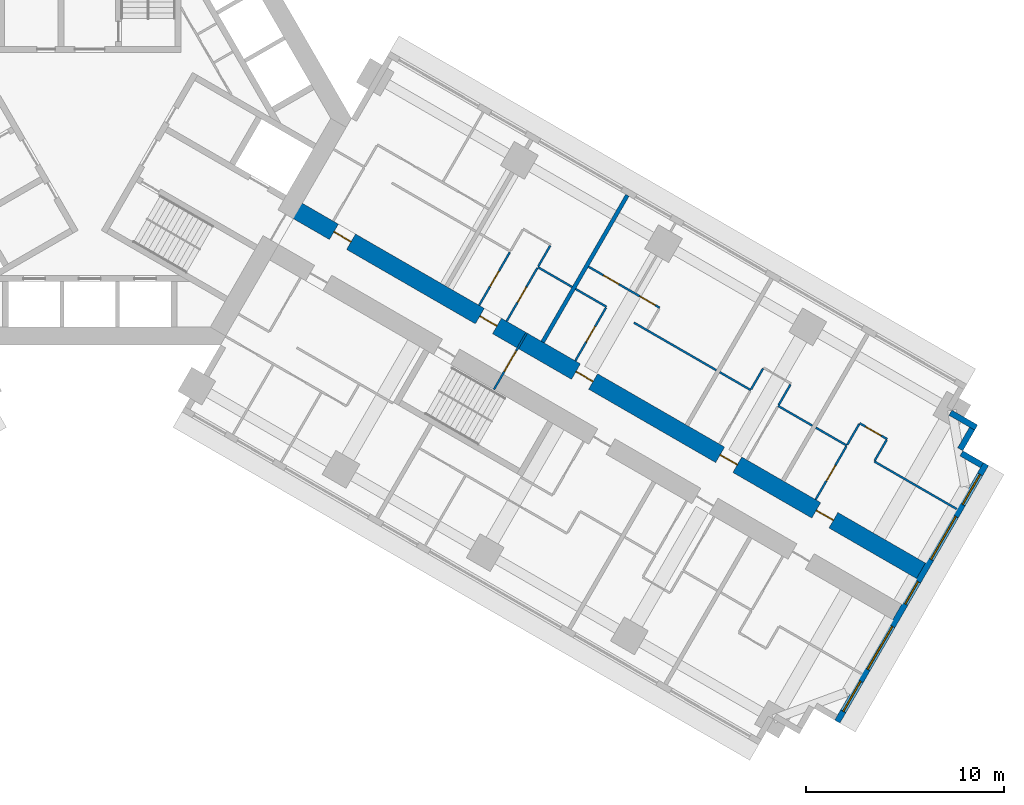
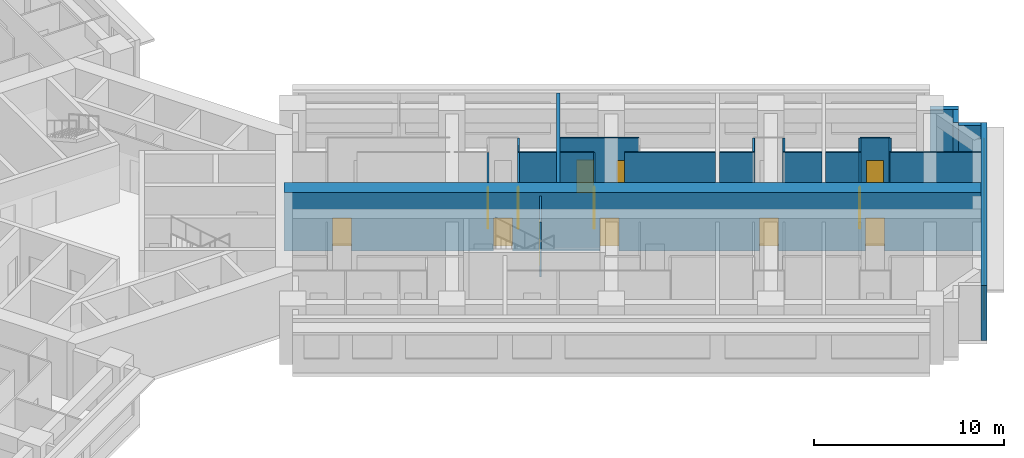
# One storey, part 12 of 16: 25 walls, 13 doors, 5 windows, 18 openings.
"""IFC4 building model written with IfcOpenShell, lengths in metres."""

from ifc_helpers import new_model, si_unit, direction, frame, frame_2d, origin, place, context, subcontext, project, spatial, rectangle, extrude, material, layer, layer_set, type_object, element, fill, save


model = new_model("IFC4")

# Units and contexts
model_context = context("Model", 3, precision=1e-05, world=origin(), true_north=direction((0.0, 1.0)))
body_context = subcontext(model_context, "Body", "Model", "MODEL_VIEW")
ifc_project = project(units=[si_unit("LENGTHUNIT", "METRE"), si_unit("AREAUNIT", "SQUARE_METRE"), si_unit("VOLUMEUNIT", "CUBIC_METRE"), si_unit("PLANEANGLEUNIT", "RADIAN"), si_unit("MASSUNIT", "GRAM", prefix="KILO")], contexts=[model_context])

# Site, building, storey
site_placement = place(None, origin())
site = spatial("IfcSite", under=ifc_project, at=site_placement, CompositionType="ELEMENT")
building_placement = place(site_placement, origin())
building = spatial("IfcBuilding", under=site, at=building_placement, Name="Impinga Residences", CompositionType="ELEMENT")
storey_placement = place(building_placement, frame((0.0, 0.0, 56.0)))
storey = spatial("IfcBuildingStorey", under=building, at=storey_placement, Name="L13", CompositionType="ELEMENT", Elevation=56.0)

# Wall, openings, doors
ifc_material_1 = material(Name="Concrete C70/85", Category="concrete")
ifc_layer_1 = layer(ifc_material_1, 0.89990234375)
ifc_layer_set_1 = layer_set([ifc_layer_1], Name="Concrete C70/85")
wall_type_1 = type_object("IfcWallType", Name="BW1 corridor buttress wall, L05 to L22 900", PredefinedType="SHEAR", material=ifc_layer_set_1)
wall_1_placement = place(storey_placement, frame((10.1103515625, -4.451416015625, 0.0), z_axis=(0.0, 0.0, 1.0), x_axis=(0.866025284237, -0.500000207062, 0.0)))
wall_1 = element("IfcWall", 1, at=wall_1_placement, inside=storey, type_object=wall_type_1, Name="Corridor wall BW1 EC L13", PredefinedType="SHEAR", context=body_context, shape_type="SweptSolid", body=[
    extrude(rectangle(XDim=36.75, YDim=0.89990234375, at=frame_2d((18.375, 0.0))), origin(), (0.0, 0.0, 1.0), 3.75),
])
opening_1_placement = place(wall_1_placement, frame((2.550048828125, 0.0, 0.0)))
opening_1 = element("IfcOpeningElement", 2, at=opening_1_placement, cuts=wall_1, Name="Opening D1", PredefinedType="OPENING", context=body_context, shape_type="SweptSolid", body=[
    extrude(rectangle(XDim=1.0, YDim=2.10009765625, at=frame_2d((0.5, 1.050048828125))), frame((0.0, 0.4599609375, 0.0), z_axis=(0.0, -1.0, 0.0), x_axis=(1.0, 0.0, 0.0)), (0.0, 0.0, 1.0), 0.919921875),
])
opening_2_placement = place(wall_1_placement, frame((11.050048828125, 0.0, 0.0)))
opening_2 = element("IfcOpeningElement", 3, at=opening_2_placement, cuts=wall_1, Name="Opening D1", PredefinedType="OPENING", context=body_context, shape_type="SweptSolid", body=[
    extrude(rectangle(XDim=1.0, YDim=2.10009765625, at=frame_2d((0.5, 1.050048828125))), frame((0.0, 0.4599609375, 0.0), z_axis=(0.0, -1.0, 0.0), x_axis=(1.0, 0.0, 0.0)), (0.0, 0.0, 1.0), 0.919921875),
])
opening_3_placement = place(wall_1_placement, frame((16.64990234375, 0.0, 0.0)))
opening_3 = element("IfcOpeningElement", 4, at=opening_3_placement, cuts=wall_1, Name="Opening D1", PredefinedType="OPENING", context=body_context, shape_type="SweptSolid", body=[
    extrude(rectangle(XDim=1.0, YDim=2.10009765625, at=frame_2d((0.5, 1.050048828125))), frame((0.0, 0.4599609375, 0.0), z_axis=(0.0, -1.0, 0.0), x_axis=(1.0, 0.0, 0.0)), (0.0, 0.0, 1.0), 0.919921875),
])
opening_4_placement = place(wall_1_placement, frame((25.050048828125, 0.0, 0.0)))
opening_4 = element("IfcOpeningElement", 5, at=opening_4_placement, cuts=wall_1, Name="Opening D1", PredefinedType="OPENING", context=body_context, shape_type="SweptSolid", body=[
    extrude(rectangle(XDim=1.0, YDim=2.10009765625, at=frame_2d((0.5, 1.050048828125))), frame((0.0, 0.4599609375, 0.0), z_axis=(0.0, -1.0, 0.0), x_axis=(1.0, 0.0, 0.0)), (0.0, 0.0, 1.0), 0.919921875),
])
opening_5_placement = place(wall_1_placement, frame((30.64990234375, 0.0, 0.0)))
opening_5 = element("IfcOpeningElement", 6, at=opening_5_placement, cuts=wall_1, Name="Opening D1", PredefinedType="OPENING", context=body_context, shape_type="SweptSolid", body=[
    extrude(rectangle(XDim=1.0, YDim=2.10009765625, at=frame_2d((0.5, 1.050048828125))), frame((0.0, 0.4599609375, 0.0), z_axis=(0.0, -1.0, 0.0), x_axis=(1.0, 0.0, 0.0)), (0.0, 0.0, 1.0), 0.919921875),
])
ifc_material_2 = material(Name="Timber door set", Category="wood")
door_type_1 = type_object("IfcDoorType", Name="D1 apartment entrance door 1000x2100", OperationType="SINGLE_SWING_LEFT", PredefinedType="DOOR", material=ifc_material_2)
door_1_placement = place(opening_1_placement, origin())
door_1 = element("IfcDoor", 7, at=door_1_placement, inside=storey, type_object=door_type_1, Name="Apartment L13-EA1 entrance", OperationType="SINGLE_SWING_LEFT", OverallHeight=2.10009765625, OverallWidth=1.0, PredefinedType="DOOR", context=body_context, shape_type="SweptSolid", body=[
    extrude(rectangle(XDim=1.0, YDim=2.10009765625, at=frame_2d((0.5, 1.050048828125))), frame((0.0, 0.02490234375, 0.0), z_axis=(0.0, -1.0, 0.0), x_axis=(1.0, 0.0, 0.0)), (0.0, 0.0, 1.0), 0.050048828125),
])
fill(opening_1, door_1)
door_2_placement = place(opening_2_placement, origin())
door_2 = element("IfcDoor", 8, at=door_2_placement, inside=storey, type_object=door_type_1, Name="Apartment L13-EA2 entrance", OperationType="SINGLE_SWING_LEFT", OverallHeight=2.10009765625, OverallWidth=1.0, PredefinedType="DOOR", context=body_context, shape_type="SweptSolid", body=[
    extrude(rectangle(XDim=1.0, YDim=2.10009765625, at=frame_2d((0.5, 1.050048828125))), frame((0.0, 0.02490234375, 0.0), z_axis=(0.0, -1.0, 0.0), x_axis=(1.0, 0.0, 0.0)), (0.0, 0.0, 1.0), 0.050048828125),
])
fill(opening_2, door_2)
door_3_placement = place(opening_3_placement, origin())
door_3 = element("IfcDoor", 9, at=door_3_placement, inside=storey, type_object=door_type_1, Name="Apartment L13-EA3 entrance", OperationType="SINGLE_SWING_LEFT", OverallHeight=2.10009765625, OverallWidth=1.0, PredefinedType="DOOR", context=body_context, shape_type="SweptSolid", body=[
    extrude(rectangle(XDim=1.0, YDim=2.10009765625, at=frame_2d((0.5, 1.050048828125))), frame((0.0, 0.02490234375, 0.0), z_axis=(0.0, -1.0, 0.0), x_axis=(1.0, 0.0, 0.0)), (0.0, 0.0, 1.0), 0.050048828125),
])
fill(opening_3, door_3)
door_4_placement = place(opening_4_placement, origin())
door_4 = element("IfcDoor", 10, at=door_4_placement, inside=storey, type_object=door_type_1, Name="Apartment L13-EA4 entrance", OperationType="SINGLE_SWING_RIGHT", OverallHeight=2.10009765625, OverallWidth=1.0, PredefinedType="DOOR", context=body_context, shape_type="SweptSolid", body=[
    extrude(rectangle(XDim=1.0, YDim=2.10009765625, at=frame_2d((0.5, 1.050048828125))), frame((0.0, 0.02490234375, 0.0), z_axis=(0.0, -1.0, 0.0), x_axis=(1.0, 0.0, 0.0)), (0.0, 0.0, 1.0), 0.050048828125),
])
fill(opening_4, door_4)
door_5_placement = place(opening_5_placement, origin())
door_5 = element("IfcDoor", 11, at=door_5_placement, inside=storey, type_object=door_type_1, Name="Apartment L13-EA5 entrance", OperationType="SINGLE_SWING_RIGHT", OverallHeight=2.10009765625, OverallWidth=1.0, PredefinedType="DOOR", context=body_context, shape_type="SweptSolid", body=[
    extrude(rectangle(XDim=1.0, YDim=2.10009765625, at=frame_2d((0.5, 1.050048828125))), frame((0.0, 0.02490234375, 0.0), z_axis=(0.0, -1.0, 0.0), x_axis=(1.0, 0.0, 0.0)), (0.0, 0.0, 1.0), 0.050048828125),
])
fill(opening_5, door_5)

# Wall, opening, door
ifc_material_3 = material(Name="Concrete blockwork", Category="masonry")
ifc_layer_2 = layer(ifc_material_3, 0.10009765625)
ifc_layer_set_2 = layer_set([ifc_layer_2], Name="CP1 core room partition, blockwork 100")
wall_type_2 = type_object("IfcWallType", Name="CP1 core room partition, blockwork 100", PredefinedType="PARTITIONING", material=ifc_layer_set_2)
wall_2_placement = place(storey_placement, frame((22.042724609375, -10.821044921875, 0.0), z_axis=(0.0, 0.0, 1.0), x_axis=(-0.50002983664, -0.866008176907, 0.0)))
wall_2 = element("IfcWall", 12, at=wall_2_placement, inside=storey, type_object=wall_type_2, Name="Core room partition, blockwork L13:E:SCR", PredefinedType="PARTITIONING", context=body_context, shape_type="SweptSolid", body=[
    extrude(rectangle(XDim=3.300048828125, YDim=0.10009765625, at=frame_2d((1.64990234375, 0.0))), origin(), (0.0, 0.0, 1.0), 3.530029296875),
])
opening_6_placement = place(wall_2_placement, frame((1.050048828125, 0.0, 0.0)))
opening_6 = element("IfcOpeningElement", 13, at=opening_6_placement, cuts=wall_2, Name="Opening D3", PredefinedType="OPENING", context=body_context, shape_type="SweptSolid", body=[
    extrude(rectangle(XDim=1.199951171875, YDim=2.10009765625, at=frame_2d((0.60009765625, 1.050048828125))), frame((0.0, 0.06005859375, 0.0), z_axis=(0.0, -1.0, 0.0), x_axis=(1.0, 0.0, 0.0)), (0.0, 0.0, 1.0), 0.1201171875),
])
door_type_2 = type_object("IfcDoorType", Name="D3 room door, leaf and a half 1200x2100", OperationType="DOUBLE_SWING_LEFT", PredefinedType="DOOR", material=ifc_material_2)
door_6_placement = place(opening_6_placement, origin())
door_6 = element("IfcDoor", 14, at=door_6_placement, inside=storey, type_object=door_type_2, Name="Corridor smoke door E", OperationType="DOUBLE_SWING_LEFT", OverallHeight=2.10009765625, OverallWidth=1.199951171875, PredefinedType="DOOR", context=body_context, shape_type="SweptSolid", body=[
    extrude(rectangle(XDim=1.199951171875, YDim=2.10009765625, at=frame_2d((0.60009765625, 1.050048828125))), frame((0.0, 0.02490234375, 0.0), z_axis=(0.0, -1.0, 0.0), x_axis=(1.0, 0.0, 0.0)), (0.0, 0.0, 1.0), 0.050048828125),
])
fill(opening_6, door_6)

# Walls
ifc_material_4 = material(Name="Terracotta rainscreen on blockwork", Category="masonry")
ifc_layer_3 = layer(ifc_material_4, 0.300048828125)
ifc_layer_set_3 = layer_set([ifc_layer_3], Name="EW1 external wall, terracotta rainscreen on blockwork 300")
wall_type_3 = type_object("IfcWallType", Name="EW1 external wall, terracotta rainscreen on blockwork 300", PredefinedType="SOLIDWALL", material=ifc_layer_set_3)
wall_3_placement = place(storey_placement, frame((43.42333984375, -14.8515625, 0.0), z_axis=(0.0, 0.0, 1.0), x_axis=(0.866031096941, -0.499990139034, 0.0)))
element("IfcWall", 15, at=wall_3_placement, inside=storey, type_object=wall_type_3, Name="External wall EW1 L13", PredefinedType="SOLIDWALL", context=body_context, shape_type="SweptSolid", body=[
    extrude(rectangle(XDim=1.5, YDim=0.300048828125, at=frame_2d((0.75, 0.0))), origin(), (0.0, 0.0, 1.0), 3.530029296875),
])
wall_4_placement = place(storey_placement, frame((44.517578125, -15.65625, 0.0), z_axis=(0.0, 0.0, 1.0), x_axis=(-0.500033551112, -0.866006032174, 0.0)))
element("IfcWall", 16, at=wall_4_placement, inside=storey, type_object=wall_type_3, Name="External wall EW1 L13", PredefinedType="SOLIDWALL", context=body_context, shape_type="SweptSolid", body=[
    extrude(rectangle(XDim=1.2001953125, YDim=0.300048828125, at=frame_2d((0.60009765625, 0.0))), origin(), (0.0, 0.0, 1.0), 3.530029296875),
])
wall_5_placement = place(storey_placement, frame((43.976806640625, -16.903076171875, 0.0), z_axis=(0.0, 0.0, 1.0), x_axis=(0.866059708757, -0.499940577336, 0.0)))
element("IfcWall", 17, at=wall_5_placement, inside=storey, type_object=wall_type_3, Name="External wall EW1 L13", PredefinedType="SOLIDWALL", context=body_context, shape_type="SweptSolid", body=[
    extrude(rectangle(XDim=1.195068359375, YDim=0.300048828125, at=frame_2d((0.59765625, 0.0))), origin(), (0.0, 0.0, 1.0), 3.530029296875),
])

# Wall, openings, windows
wall_6_placement = place(storey_placement, frame((45.216552734375, -17.445556640625, 0.0), z_axis=(0.0, 0.0, 1.0), x_axis=(-0.499997186618, -0.866027028085, 0.0)))
wall_6 = element("IfcWall", 18, at=wall_6_placement, inside=storey, type_object=wall_type_3, Name="External wall EW1 L13", PredefinedType="SOLIDWALL", context=body_context, shape_type="SweptSolid", body=[
    extrude(rectangle(XDim=15.0, YDim=0.300048828125, at=frame_2d((7.5, 0.0))), origin(), (0.0, 0.0, 1.0), 3.530029296875),
])
opening_7_placement = place(wall_6_placement, frame((0.60009765625, 0.0, 0.89990234375)))
opening_7 = element("IfcOpeningElement", 19, at=opening_7_placement, cuts=wall_6, Name="Opening W1", PredefinedType="OPENING", context=body_context, shape_type="SweptSolid", body=[
    extrude(rectangle(XDim=1.75, YDim=2.050048828125, at=frame_2d((0.875, 1.02490234375))), frame((0.0, 0.159912109375, 0.0), z_axis=(0.0, -1.0, 0.0), x_axis=(1.0, 0.0, 0.0)), (0.0, 0.0, 1.0), 0.320068359375),
])
opening_8_placement = place(wall_6_placement, frame((3.050048828125, 0.0, 0.89990234375)))
opening_8 = element("IfcOpeningElement", 20, at=opening_8_placement, cuts=wall_6, Name="Opening W2", PredefinedType="OPENING", context=body_context, shape_type="SweptSolid", body=[
    extrude(rectangle(XDim=2.5, YDim=2.050048828125, at=frame_2d((1.25, 1.02490234375))), frame((0.0, 0.159912109375, 0.0), z_axis=(0.0, -1.0, 0.0), x_axis=(1.0, 0.0, 0.0)), (0.0, 0.0, 1.0), 0.320068359375),
])
opening_9_placement = place(wall_6_placement, frame((6.85009765625, 0.0, 0.89990234375)))
opening_9 = element("IfcOpeningElement", 21, at=opening_9_placement, cuts=wall_6, Name="Opening WE1", PredefinedType="OPENING", context=body_context, shape_type="SweptSolid", body=[
    extrude(rectangle(XDim=1.300048828125, YDim=2.050048828125, at=frame_2d((0.64990234375, 1.02490234375))), frame((0.0, 0.159912109375, 0.0), z_axis=(0.0, -1.0, 0.0), x_axis=(1.0, 0.0, 0.0)), (0.0, 0.0, 1.0), 0.320068359375),
])
opening_10_placement = place(wall_6_placement, frame((9.449951171875, 0.0, 0.89990234375)))
opening_10 = element("IfcOpeningElement", 22, at=opening_10_placement, cuts=wall_6, Name="Opening W2", PredefinedType="OPENING", context=body_context, shape_type="SweptSolid", body=[
    extrude(rectangle(XDim=2.5, YDim=2.050048828125, at=frame_2d((1.25, 1.02490234375))), frame((0.0, 0.159912109375, 0.0), z_axis=(0.0, -1.0, 0.0), x_axis=(1.0, 0.0, 0.0)), (0.0, 0.0, 1.0), 0.320068359375),
])
opening_11_placement = place(wall_6_placement, frame((12.64990234375, 0.0, 0.89990234375)))
opening_11 = element("IfcOpeningElement", 23, at=opening_11_placement, cuts=wall_6, Name="Opening W1", PredefinedType="OPENING", context=body_context, shape_type="SweptSolid", body=[
    extrude(rectangle(XDim=1.75, YDim=2.050048828125, at=frame_2d((0.875, 1.02490234375))), frame((0.0, 0.159912109375, 0.0), z_axis=(0.0, -1.0, 0.0), x_axis=(1.0, 0.0, 0.0)), (0.0, 0.0, 1.0), 0.320068359375),
])
ifc_material_5 = material(Name="Aluminium window, clear double glazing", Category="aluminium")
window_type_1 = type_object("IfcWindowType", Name="W1 ribbon window 1750x2050", PartitioningType="SINGLE_PANEL", PredefinedType="WINDOW", material=ifc_material_5)
window_1_placement = place(opening_7_placement, origin())
window_1 = element("IfcWindow", 24, at=window_1_placement, inside=storey, type_object=window_type_1, Name="Window L13", OverallHeight=2.050048828125, OverallWidth=1.75, PartitioningType="SINGLE_PANEL", PredefinedType="WINDOW", context=body_context, shape_type="SweptSolid", body=[
    extrude(rectangle(XDim=1.75, YDim=2.050048828125, at=frame_2d((0.875, 1.02490234375))), frame((0.0, 0.030029296875, 0.0), z_axis=(0.0, -1.0, 0.0), x_axis=(1.0, 0.0, 0.0)), (0.0, 0.0, 1.0), 0.06005859375),
])
fill(opening_7, window_1)
window_2_placement = place(opening_11_placement, origin())
window_2 = element("IfcWindow", 25, at=window_2_placement, inside=storey, type_object=window_type_1, Name="Window L13", OverallHeight=2.050048828125, OverallWidth=1.75, PartitioningType="SINGLE_PANEL", PredefinedType="WINDOW", context=body_context, shape_type="SweptSolid", body=[
    extrude(rectangle(XDim=1.75, YDim=2.050048828125, at=frame_2d((0.875, 1.02490234375))), frame((0.0, 0.030029296875, 0.0), z_axis=(0.0, -1.0, 0.0), x_axis=(1.0, 0.0, 0.0)), (0.0, 0.0, 1.0), 0.06005859375),
])
fill(opening_11, window_2)
window_type_2 = type_object("IfcWindowType", Name="W2 ribbon window 2500x2050", PartitioningType="SINGLE_PANEL", PredefinedType="WINDOW", material=ifc_material_5)
window_3_placement = place(opening_8_placement, origin())
window_3 = element("IfcWindow", 26, at=window_3_placement, inside=storey, type_object=window_type_2, Name="Window L13", OverallHeight=2.050048828125, OverallWidth=2.5, PartitioningType="SINGLE_PANEL", PredefinedType="WINDOW", context=body_context, shape_type="SweptSolid", body=[
    extrude(rectangle(XDim=2.5, YDim=2.050048828125, at=frame_2d((1.25, 1.02490234375))), frame((0.0, 0.030029296875, 0.0), z_axis=(0.0, -1.0, 0.0), x_axis=(1.0, 0.0, 0.0)), (0.0, 0.0, 1.0), 0.06005859375),
])
fill(opening_8, window_3)
window_4_placement = place(opening_10_placement, origin())
window_4 = element("IfcWindow", 27, at=window_4_placement, inside=storey, type_object=window_type_2, Name="Window L13", OverallHeight=2.050048828125, OverallWidth=2.5, PartitioningType="SINGLE_PANEL", PredefinedType="WINDOW", context=body_context, shape_type="SweptSolid", body=[
    extrude(rectangle(XDim=2.5, YDim=2.050048828125, at=frame_2d((1.25, 1.02490234375))), frame((0.0, 0.030029296875, 0.0), z_axis=(0.0, -1.0, 0.0), x_axis=(1.0, 0.0, 0.0)), (0.0, 0.0, 1.0), 0.06005859375),
])
fill(opening_10, window_4)
window_type_3 = type_object("IfcWindowType", Name="WE1 corridor window 1300x2050", PartitioningType="SINGLE_PANEL", PredefinedType="WINDOW", material=ifc_material_5)
window_5_placement = place(opening_9_placement, origin())
window_5 = element("IfcWindow", 28, at=window_5_placement, inside=storey, type_object=window_type_3, Name="Window L13", OverallHeight=2.050048828125, OverallWidth=1.300048828125, PartitioningType="SINGLE_PANEL", PredefinedType="WINDOW", context=body_context, shape_type="SweptSolid", body=[
    extrude(rectangle(XDim=1.300048828125, YDim=2.050048828125, at=frame_2d((0.64990234375, 1.02490234375))), frame((0.0, 0.030029296875, 0.0), z_axis=(0.0, -1.0, 0.0), x_axis=(1.0, 0.0, 0.0)), (0.0, 0.0, 1.0), 0.06005859375),
])
fill(opening_9, window_5)

# Walls
ifc_material_6 = material(Name="Gypsum board on steel studs", Category="steel")
ifc_layer_4 = layer(ifc_material_6, 0.10009765625)
ifc_layer_set_4 = layer_set([ifc_layer_4], Name="Gypsum board on steel studs")
wall_type_4 = type_object("IfcWallType", Name="IP1 partition 100", PredefinedType="PARTITIONING", material=ifc_layer_set_4)
wall_7_placement = place(storey_placement, frame((22.605712890625, -7.5087890625, 0.0), z_axis=(0.0, 0.0, 1.0), x_axis=(0.866010750942, -0.50002537861, 0.0)))
element("IfcWall", 29, at=wall_7_placement, inside=storey, type_object=wall_type_4, Name="Partition L13-EA2:DIV1", PredefinedType="PARTITIONING", context=body_context, shape_type="SweptSolid", body=[
    extrude(rectangle(XDim=2.0, YDim=0.10009765625, at=frame_2d((1.0, 0.0))), origin(), (0.0, 0.0, 1.0), 3.530029296875),
])
wall_8_placement = place(storey_placement, frame((22.630615234375, -7.465576171875, 0.0), z_axis=(0.0, 0.0, 1.0), x_axis=(0.500033551112, 0.866006032174, 0.0)))
element("IfcWall", 30, at=wall_8_placement, inside=storey, type_object=wall_type_4, Name="Partition L13-EA2:SE1", PredefinedType="PARTITIONING", context=body_context, shape_type="SweptSolid", body=[
    extrude(rectangle(XDim=1.2001953125, YDim=0.10009765625, at=frame_2d((0.60009765625, 0.0))), origin(), (0.0, 0.0, 1.0), 3.530029296875),
])

# Wall, opening, door
wall_9_placement = place(storey_placement, frame((19.64501953125, -9.436767578125, 0.0), z_axis=(0.0, 0.0, 1.0), x_axis=(0.500026960575, 0.86600983753, 0.0)))
wall_9 = element("IfcWall", 31, at=wall_9_placement, inside=storey, type_object=wall_type_4, Name="Partition L13-EA2:IB1", PredefinedType="PARTITIONING", context=body_context, shape_type="SweptSolid", body=[
    extrude(rectangle(XDim=3.099853515625, YDim=0.10009765625, at=frame_2d((1.5498046875, 0.0))), origin(), (0.0, 0.0, 1.0), 3.530029296875),
])
opening_12_placement = place(wall_9_placement, frame((1.10009765625, 0.0, 0.0)))
opening_12 = element("IfcOpeningElement", 32, at=opening_12_placement, cuts=wall_9, Name="Opening D2", PredefinedType="OPENING", context=body_context, shape_type="SweptSolid", body=[
    extrude(rectangle(XDim=0.89990234375, YDim=2.10009765625, at=frame_2d((0.449951171875, 1.050048828125))), frame((0.0, 0.06005859375, 0.0), z_axis=(0.0, -1.0, 0.0), x_axis=(1.0, 0.0, 0.0)), (0.0, 0.0, 1.0), 0.1201171875),
])
door_type_3 = type_object("IfcDoorType", Name="D2 internal door 900x2100", OperationType="SINGLE_SWING_LEFT", PredefinedType="DOOR", material=ifc_material_2)
door_7_placement = place(opening_12_placement, origin())
door_7 = element("IfcDoor", 33, at=door_7_placement, inside=storey, type_object=door_type_3, Name="Apartment L13-EA2 bathroom door", OperationType="SINGLE_SWING_LEFT", OverallHeight=2.10009765625, OverallWidth=0.89990234375, PredefinedType="DOOR", context=body_context, shape_type="SweptSolid", body=[
    extrude(rectangle(XDim=0.89990234375, YDim=2.10009765625, at=frame_2d((0.449951171875, 1.050048828125))), frame((0.0, 0.02490234375, 0.0), z_axis=(0.0, -1.0, 0.0), x_axis=(1.0, 0.0, 0.0)), (0.0, 0.0, 1.0), 0.050048828125),
])
fill(opening_12, door_7)

wall_10_placement = place(storey_placement, frame((21.03076171875, -10.23681640625, 0.0), z_axis=(0.0, 0.0, 1.0), x_axis=(0.500026960575, 0.86600983753, 0.0)))
wall_10 = element("IfcWall", 34, at=wall_10_placement, inside=storey, type_object=wall_type_4, Name="Partition L13-EA2:IB2", PredefinedType="PARTITIONING", context=body_context, shape_type="SweptSolid", body=[
    extrude(rectangle(XDim=3.099853515625, YDim=0.10009765625, at=frame_2d((1.5498046875, 0.0))), origin(), (0.0, 0.0, 1.0), 3.530029296875),
])
opening_13_placement = place(wall_10_placement, frame((1.10009765625, 0.0, 0.0)))
opening_13 = element("IfcOpeningElement", 35, at=opening_13_placement, cuts=wall_10, Name="Opening D2", PredefinedType="OPENING", context=body_context, shape_type="SweptSolid", body=[
    extrude(rectangle(XDim=0.89990234375, YDim=2.10009765625, at=frame_2d((0.449951171875, 1.050048828125))), frame((0.0, 0.06005859375, 0.0), z_axis=(0.0, -1.0, 0.0), x_axis=(1.0, 0.0, 0.0)), (0.0, 0.0, 1.0), 0.1201171875),
])
door_8_placement = place(opening_13_placement, origin())
door_8 = element("IfcDoor", 36, at=door_8_placement, inside=storey, type_object=door_type_3, Name="Apartment L13-EA2 WC door", OperationType="SINGLE_SWING_LEFT", OverallHeight=2.10009765625, OverallWidth=0.89990234375, PredefinedType="DOOR", context=body_context, shape_type="SweptSolid", body=[
    extrude(rectangle(XDim=0.89990234375, YDim=2.10009765625, at=frame_2d((0.449951171875, 1.050048828125))), frame((0.0, 0.02490234375, 0.0), z_axis=(0.0, -1.0, 0.0), x_axis=(1.0, 0.0, 0.0)), (0.0, 0.0, 1.0), 0.050048828125),
])
fill(opening_13, door_8)

# Walls
wall_11_placement = place(storey_placement, frame((24.510986328125, -8.60888671875, 0.0), z_axis=(0.0, 0.0, 1.0), x_axis=(0.866047807691, -0.499961193289, 0.0)))
element("IfcWall", 37, at=wall_11_placement, inside=storey, type_object=wall_type_4, Name="Partition L13-EA3:DIV0", PredefinedType="PARTITIONING", context=body_context, shape_type="SweptSolid", body=[
    extrude(rectangle(XDim=1.800048828125, YDim=0.10009765625, at=frame_2d((0.89990234375, 0.0))), origin(), (0.0, 0.0, 1.0), 3.530029296875),
])
wall_12_placement = place(storey_placement, frame((27.45556640625, -10.308837890625, 0.0), z_axis=(0.0, 0.0, 1.0), x_axis=(0.866024647952, -0.500001309137, 0.0)))
element("IfcWall", 38, at=wall_12_placement, inside=storey, type_object=wall_type_4, Name="Partition L13-EA3:DIV1", PredefinedType="PARTITIONING", context=body_context, shape_type="SweptSolid", body=[
    extrude(rectangle(XDim=4.7998046875, YDim=0.10009765625, at=frame_2d((2.39990234375, 0.0))), origin(), (0.0, 0.0, 1.0), 3.530029296875),
])

# Wall, openings, doors
wall_13_placement = place(storey_placement, frame((25.160888671875, -7.48291015625, 0.0), z_axis=(0.0, 0.0, 1.0), x_axis=(0.866004344652, -0.500036473714, 0.0)))
wall_13 = element("IfcWall", 39, at=wall_13_placement, inside=storey, type_object=wall_type_4, Name="Partition L13-EA3:STRIP", PredefinedType="PARTITIONING", context=body_context, shape_type="SweptSolid", body=[
    extrude(rectangle(XDim=4.150146484375, YDim=0.10009765625, at=frame_2d((2.0751953125, 0.0))), origin(), (0.0, 0.0, 1.0), 3.530029296875),
])
opening_14_placement = place(wall_13_placement, frame((0.875, 0.0, 0.0)))
opening_14 = element("IfcOpeningElement", 40, at=opening_14_placement, cuts=wall_13, Name="Opening D2", PredefinedType="OPENING", context=body_context, shape_type="SweptSolid", body=[
    extrude(rectangle(XDim=0.89990234375, YDim=2.10009765625, at=frame_2d((0.449951171875, 1.050048828125))), frame((0.0, 0.06005859375, 0.0), z_axis=(0.0, -1.0, 0.0), x_axis=(1.0, 0.0, 0.0)), (0.0, 0.0, 1.0), 0.1201171875),
])
opening_15_placement = place(wall_13_placement, frame((3.0, 0.0, 0.0)))
opening_15 = element("IfcOpeningElement", 41, at=opening_15_placement, cuts=wall_13, Name="Opening D2", PredefinedType="OPENING", context=body_context, shape_type="SweptSolid", body=[
    extrude(rectangle(XDim=0.89990234375, YDim=2.10009765625, at=frame_2d((0.449951171875, 1.050048828125))), frame((0.0, 0.06005859375, 0.0), z_axis=(0.0, -1.0, 0.0), x_axis=(1.0, 0.0, 0.0)), (0.0, 0.0, 1.0), 0.1201171875),
])
door_9_placement = place(opening_14_placement, origin())
door_9 = element("IfcDoor", 42, at=door_9_placement, inside=storey, type_object=door_type_3, Name="Apartment L13-EA3 room door", OperationType="SINGLE_SWING_LEFT", OverallHeight=2.10009765625, OverallWidth=0.89990234375, PredefinedType="DOOR", context=body_context, shape_type="SweptSolid", body=[
    extrude(rectangle(XDim=0.89990234375, YDim=2.10009765625, at=frame_2d((0.449951171875, 1.050048828125))), frame((0.0, 0.02490234375, 0.0), z_axis=(0.0, -1.0, 0.0), x_axis=(1.0, 0.0, 0.0)), (0.0, 0.0, 1.0), 0.050048828125),
])
fill(opening_14, door_9)
door_10_placement = place(opening_15_placement, origin())
door_10 = element("IfcDoor", 43, at=door_10_placement, inside=storey, type_object=door_type_3, Name="Apartment L13-EA3 room door", OperationType="SINGLE_SWING_RIGHT", OverallHeight=2.10009765625, OverallWidth=0.89990234375, PredefinedType="DOOR", context=body_context, shape_type="SweptSolid", body=[
    extrude(rectangle(XDim=0.89990234375, YDim=2.10009765625, at=frame_2d((0.449951171875, 1.050048828125))), frame((0.0, 0.02490234375, 0.0), z_axis=(0.0, -1.0, 0.0), x_axis=(1.0, 0.0, 0.0)), (0.0, 0.0, 1.0), 0.050048828125),
])
fill(opening_15, door_10)

# Wall, opening, door
wall_14_placement = place(storey_placement, frame((24.494873046875, -12.23681640625, 0.0), z_axis=(0.0, 0.0, 1.0), x_axis=(0.500026960575, 0.86600983753, 0.0)))
wall_14 = element("IfcWall", 44, at=wall_14_placement, inside=storey, type_object=wall_type_4, Name="Partition L13-EA3:IB1", PredefinedType="PARTITIONING", context=body_context, shape_type="SweptSolid", body=[
    extrude(rectangle(XDim=3.099853515625, YDim=0.10009765625, at=frame_2d((1.5498046875, 0.0))), origin(), (0.0, 0.0, 1.0), 3.530029296875),
])
opening_16_placement = place(wall_14_placement, frame((1.10009765625, 0.0, 0.0)))
opening_16 = element("IfcOpeningElement", 45, at=opening_16_placement, cuts=wall_14, Name="Opening D2", PredefinedType="OPENING", context=body_context, shape_type="SweptSolid", body=[
    extrude(rectangle(XDim=0.89990234375, YDim=2.10009765625, at=frame_2d((0.449951171875, 1.050048828125))), frame((0.0, 0.06005859375, 0.0), z_axis=(0.0, -1.0, 0.0), x_axis=(1.0, 0.0, 0.0)), (0.0, 0.0, 1.0), 0.1201171875),
])
door_11_placement = place(opening_16_placement, origin())
door_11 = element("IfcDoor", 46, at=door_11_placement, inside=storey, type_object=door_type_3, Name="Apartment L13-EA3 bathroom door", OperationType="SINGLE_SWING_LEFT", OverallHeight=2.10009765625, OverallWidth=0.89990234375, PredefinedType="DOOR", context=body_context, shape_type="SweptSolid", body=[
    extrude(rectangle(XDim=0.89990234375, YDim=2.10009765625, at=frame_2d((0.449951171875, 1.050048828125))), frame((0.0, 0.02490234375, 0.0), z_axis=(0.0, -1.0, 0.0), x_axis=(1.0, 0.0, 0.0)), (0.0, 0.0, 1.0), 0.050048828125),
])
fill(opening_16, door_11)

# Walls
wall_15_placement = place(storey_placement, frame((31.78564453125, -12.808837890625, 0.0), z_axis=(0.0, 0.0, 1.0), x_axis=(0.866047807691, -0.499961193289, 0.0)))
element("IfcWall", 47, at=wall_15_placement, inside=storey, type_object=wall_type_4, Name="Partition L13-EA4:DIV0", PredefinedType="PARTITIONING", context=body_context, shape_type="SweptSolid", body=[
    extrude(rectangle(XDim=1.800048828125, YDim=0.10009765625, at=frame_2d((0.89990234375, 0.0))), origin(), (0.0, 0.0, 1.0), 3.530029296875),
])
wall_16_placement = place(storey_placement, frame((34.72998046875, -14.5087890625, 0.0), z_axis=(0.0, 0.0, 1.0), x_axis=(0.866041268327, -0.499972520799, 0.0)))
element("IfcWall", 48, at=wall_16_placement, inside=storey, type_object=wall_type_4, Name="Partition L13-EA4:DIV1", PredefinedType="PARTITIONING", context=body_context, shape_type="SweptSolid", body=[
    extrude(rectangle(XDim=2.0, YDim=0.10009765625, at=frame_2d((1.0, 0.0))), origin(), (0.0, 0.0, 1.0), 3.530029296875),
])
wall_17_placement = place(storey_placement, frame((33.369384765625, -13.66552734375, 0.0), z_axis=(0.0, 0.0, 1.0), x_axis=(0.500033551112, 0.866006032174, 0.0)))
element("IfcWall", 49, at=wall_17_placement, inside=storey, type_object=wall_type_4, Name="Partition L13-EA4:SE0", PredefinedType="PARTITIONING", context=body_context, shape_type="SweptSolid", body=[
    extrude(rectangle(XDim=1.2001953125, YDim=0.10009765625, at=frame_2d((0.60009765625, 0.0))), origin(), (0.0, 0.0, 1.0), 3.530029296875),
])
wall_18_placement = place(storey_placement, frame((34.755126953125, -14.465576171875, 0.0), z_axis=(0.0, 0.0, 1.0), x_axis=(0.499880961361, 0.866094119867, 0.0)))
element("IfcWall", 50, at=wall_18_placement, inside=storey, type_object=wall_type_4, Name="Partition L13-EA4:SE1", PredefinedType="PARTITIONING", context=body_context, shape_type="SweptSolid", body=[
    extrude(rectangle(XDim=1.199951171875, YDim=0.10009765625, at=frame_2d((0.60009765625, 0.0))), origin(), (0.0, 0.0, 1.0), 3.530029296875),
])
wall_19_placement = place(storey_placement, frame((36.63525390625, -15.60888671875, 0.0), z_axis=(0.0, 0.0, 1.0), x_axis=(0.866047807691, -0.499961193289, 0.0)))
element("IfcWall", 51, at=wall_19_placement, inside=storey, type_object=wall_type_4, Name="Partition L13-EA5:DIV0", PredefinedType="PARTITIONING", context=body_context, shape_type="SweptSolid", body=[
    extrude(rectangle(XDim=1.800048828125, YDim=0.10009765625, at=frame_2d((0.89990234375, 0.0))), origin(), (0.0, 0.0, 1.0), 3.530029296875),
])
wall_20_placement = place(storey_placement, frame((39.579833984375, -17.308837890625, 0.0), z_axis=(0.0, 0.0, 1.0), x_axis=(0.866037363387, -0.499979284789, 0.0)))
element("IfcWall", 52, at=wall_20_placement, inside=storey, type_object=wall_type_4, Name="Partition L13-EA5:DIV1", PredefinedType="PARTITIONING", context=body_context, shape_type="SweptSolid", body=[
    extrude(rectangle(XDim=4.800048828125, YDim=0.10009765625, at=frame_2d((2.39990234375, 0.0))), origin(), (0.0, 0.0, 1.0), 3.530029296875),
])

# Wall, opening, door
wall_21_placement = place(storey_placement, frame((38.84423828125, -15.383056640625, 0.0), z_axis=(0.0, 0.0, 1.0), x_axis=(0.865989903783, -0.500061482766, 0.0)))
wall_21 = element("IfcWall", 53, at=wall_21_placement, inside=storey, type_object=wall_type_4, Name="Partition L13-EA5:STRIP", PredefinedType="PARTITIONING", context=body_context, shape_type="SweptSolid", body=[
    extrude(rectangle(XDim=1.599853515625, YDim=0.10009765625, at=frame_2d((0.7998046875, 0.0))), origin(), (0.0, 0.0, 1.0), 3.530029296875),
])
opening_17_placement = place(wall_21_placement, frame((0.35009765625, 0.0, 0.0)))
opening_17 = element("IfcOpeningElement", 54, at=opening_17_placement, cuts=wall_21, Name="Opening D2", PredefinedType="OPENING", context=body_context, shape_type="SweptSolid", body=[
    extrude(rectangle(XDim=0.89990234375, YDim=2.10009765625, at=frame_2d((0.449951171875, 1.050048828125))), frame((0.0, 0.06005859375, 0.0), z_axis=(0.0, -1.0, 0.0), x_axis=(1.0, 0.0, 0.0)), (0.0, 0.0, 1.0), 0.1201171875),
])
door_12_placement = place(opening_17_placement, origin())
door_12 = element("IfcDoor", 55, at=door_12_placement, inside=storey, type_object=door_type_3, Name="Apartment L13-EA5 room door", OperationType="SINGLE_SWING_LEFT", OverallHeight=2.10009765625, OverallWidth=0.89990234375, PredefinedType="DOOR", context=body_context, shape_type="SweptSolid", body=[
    extrude(rectangle(XDim=0.89990234375, YDim=2.10009765625, at=frame_2d((0.449951171875, 1.050048828125))), frame((0.0, 0.02490234375, 0.0), z_axis=(0.0, -1.0, 0.0), x_axis=(1.0, 0.0, 0.0)), (0.0, 0.0, 1.0), 0.050048828125),
])
fill(opening_17, door_12)

# Walls
wall_22_placement = place(storey_placement, frame((38.21923828125, -16.465576171875, 0.0), z_axis=(0.0, 0.0, 1.0), x_axis=(0.499880961361, 0.866094119867, 0.0)))
element("IfcWall", 56, at=wall_22_placement, inside=storey, type_object=wall_type_4, Name="Partition L13-EA5:SE0", PredefinedType="PARTITIONING", context=body_context, shape_type="SweptSolid", body=[
    extrude(rectangle(XDim=1.199951171875, YDim=0.10009765625, at=frame_2d((0.60009765625, 0.0))), origin(), (0.0, 0.0, 1.0), 3.530029296875),
])
wall_23_placement = place(storey_placement, frame((39.604736328125, -17.265625, 0.0), z_axis=(0.0, 0.0, 1.0), x_axis=(0.500033551112, 0.866006032174, 0.0)))
element("IfcWall", 57, at=wall_23_placement, inside=storey, type_object=wall_type_4, Name="Partition L13-EA5:SE1", PredefinedType="PARTITIONING", context=body_context, shape_type="SweptSolid", body=[
    extrude(rectangle(XDim=1.2001953125, YDim=0.10009765625, at=frame_2d((0.60009765625, 0.0))), origin(), (0.0, 0.0, 1.0), 3.530029296875),
])

# Wall, opening, door
wall_24_placement = place(storey_placement, frame((36.619140625, -19.23681640625, 0.0), z_axis=(0.0, 0.0, 1.0), x_axis=(0.500026960575, 0.86600983753, 0.0)))
wall_24 = element("IfcWall", 58, at=wall_24_placement, inside=storey, type_object=wall_type_4, Name="Partition L13-EA5:IB1", PredefinedType="PARTITIONING", context=body_context, shape_type="SweptSolid", body=[
    extrude(rectangle(XDim=3.099853515625, YDim=0.10009765625, at=frame_2d((1.5498046875, 0.0))), origin(), (0.0, 0.0, 1.0), 3.530029296875),
])
opening_18_placement = place(wall_24_placement, frame((1.10009765625, 0.0, 0.0)))
opening_18 = element("IfcOpeningElement", 59, at=opening_18_placement, cuts=wall_24, Name="Opening D2", PredefinedType="OPENING", context=body_context, shape_type="SweptSolid", body=[
    extrude(rectangle(XDim=0.89990234375, YDim=2.10009765625, at=frame_2d((0.449951171875, 1.050048828125))), frame((0.0, 0.06005859375, 0.0), z_axis=(0.0, -1.0, 0.0), x_axis=(1.0, 0.0, 0.0)), (0.0, 0.0, 1.0), 0.1201171875),
])
door_13_placement = place(opening_18_placement, origin())
door_13 = element("IfcDoor", 60, at=door_13_placement, inside=storey, type_object=door_type_3, Name="Apartment L13-EA5 bathroom door", OperationType="SINGLE_SWING_LEFT", OverallHeight=2.10009765625, OverallWidth=0.89990234375, PredefinedType="DOOR", context=body_context, shape_type="SweptSolid", body=[
    extrude(rectangle(XDim=0.89990234375, YDim=2.10009765625, at=frame_2d((0.449951171875, 1.050048828125))), frame((0.0, 0.02490234375, 0.0), z_axis=(0.0, -1.0, 0.0), x_axis=(1.0, 0.0, 0.0)), (0.0, 0.0, 1.0), 0.050048828125),
])
fill(opening_18, door_13)

# Wall
ifc_layer_5 = layer(ifc_material_3, 0.199951171875)
ifc_layer_set_5 = layer_set([ifc_layer_5], Name="PW1 party wall between apartments 200")
wall_type_5 = type_object("IfcWallType", Name="PW1 party wall between apartments 200", PredefinedType="SOLIDWALL", material=ifc_layer_set_5)
wall_25_placement = place(storey_placement, frame((22.849365234375, -11.286865234375, 0.0), z_axis=(0.0, 0.0, 1.0), x_axis=(0.499990227581, 0.86603104582, 0.0)))
element("IfcWall", 61, at=wall_25_placement, inside=storey, type_object=wall_type_5, Name="Party wall between apartments L13-EA2:PARTY", PredefinedType="SOLIDWALL", context=body_context, shape_type="SweptSolid", body=[
    extrude(rectangle(XDim=8.550048828125, YDim=0.199951171875, at=frame_2d((4.27490234375, 0.0))), origin(), (0.0, 0.0, 1.0), 3.530029296875),
])

save(model, "model.ifc")
